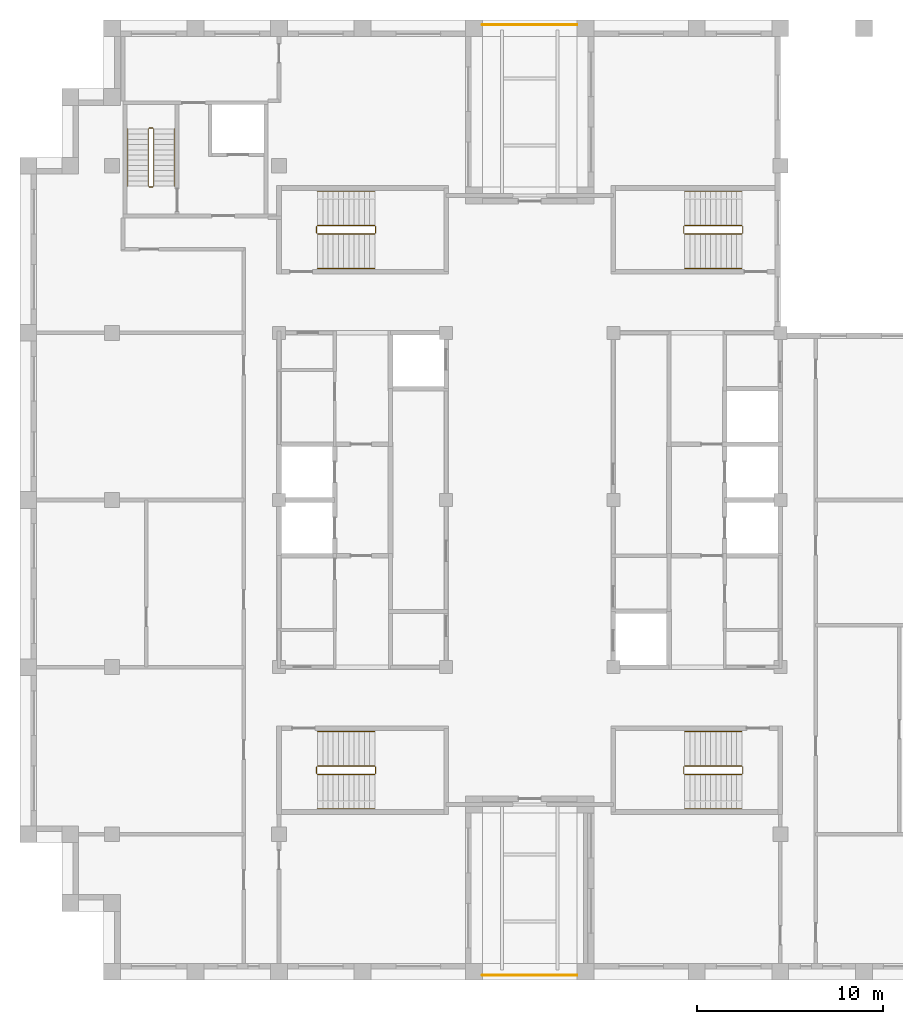
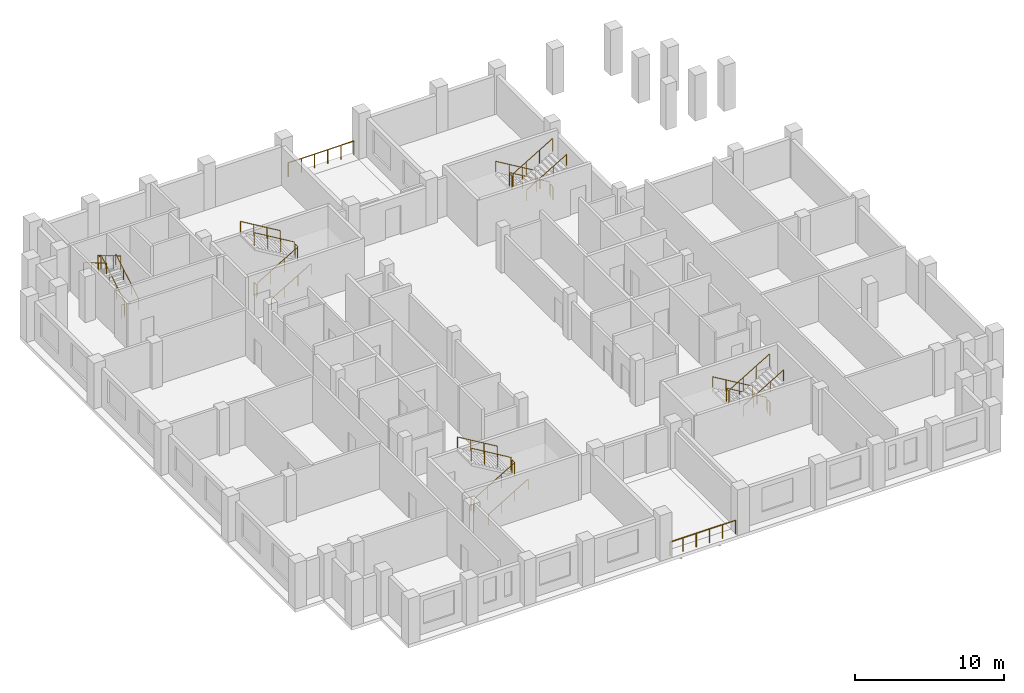
# One storey, part 8 of 8: 7 railings.
"""IFC4 building model written with IfcOpenShell, lengths in metres."""

from ifc_helpers import new_model, si_unit, direction, frame, origin, origin_2d, place, context, subcontext, project, spatial, circle, extrude, material, type_object, element, save


model = new_model("IFC4")

# Units and contexts
model_context = context("Model", 3, precision=1e-05, world=origin(), true_north=direction((0.0, 1.0)))
body_context = subcontext(model_context, "Body", "Model", "MODEL_VIEW")
ifc_project = project(units=[si_unit("LENGTHUNIT", "METRE"), si_unit("AREAUNIT", "SQUARE_METRE"), si_unit("VOLUMEUNIT", "CUBIC_METRE"), si_unit("PLANEANGLEUNIT", "RADIAN"), si_unit("MASSUNIT", "GRAM", prefix="KILO")], contexts=[model_context])

# Site, building, storey
site_placement = place(None, origin())
site = spatial("IfcSite", under=ifc_project, at=site_placement, CompositionType="ELEMENT")
building_placement = place(site_placement, origin())
building = spatial("IfcBuilding", under=site, at=building_placement, Name="Corbelhall Arena Tower", CompositionType="ELEMENT")
storey_placement = place(building_placement, frame((0.0, 0.0, 326.0)))
storey = spatial("IfcBuildingStorey", under=building, at=storey_placement, Name="L71", CompositionType="ELEMENT", Elevation=326.0)

# Railings
ifc_material = material(Name="Steel ASTM A500 Gr C", Category="steel")
railing_type_1 = type_object("IfcRailingType", Name="EV-GD1 Terrace guard 1100", PredefinedType="GUARDRAIL", material=ifc_material)
for number, where, name in (
    (1, (-2.550048828125, 25.60009765625, 0.0), "Guard"),
    (2, (-2.550048828125, -25.60009765625, 0.0), "Guard"),
):
    element("IfcRailing", number, at=place(storey_placement, frame(where)), inside=storey, type_object=railing_type_1, Name=name, PredefinedType="GUARDRAIL", context=body_context, shape_type="SweptSolid", body=[
        extrude(circle(Radius=0.02392578125, at=origin_2d()), frame((0.0, 0.0, 1.1259765625), z_axis=(1.0, 0.0, 0.0), x_axis=(0.0, 1.0, 0.0)), (0.0, 0.0, 1.0), 5.10009765625),
        extrude(circle(Radius=0.02099609375, at=origin_2d()), origin(), (0.0, 0.0, 1.0), 1.101806640625),
        extrude(circle(Radius=0.02099609375, at=origin_2d()), frame((1.02001953125, 0.0, 0.0)), (0.0, 0.0, 1.0), 1.101806640625),
        extrude(circle(Radius=0.02099609375, at=origin_2d()), frame((2.0400390625, 0.0, 0.0)), (0.0, 0.0, 1.0), 1.101806640625),
        extrude(circle(Radius=0.02099609375, at=origin_2d()), frame((3.06005859375, 0.0, 0.0)), (0.0, 0.0, 1.0), 1.101806640625),
        extrude(circle(Radius=0.02099609375, at=origin_2d()), frame((4.080078125, 0.0, 0.0)), (0.0, 0.0, 1.0), 1.101806640625),
        extrude(circle(Radius=0.02099609375, at=origin_2d()), frame((5.10009765625, 0.0, 0.0)), (0.0, 0.0, 1.0), 1.101806640625),
    ])
railing_type_2 = type_object("IfcRailingType", Name="IN-GD-1100", PredefinedType="GUARDRAIL", material=ifc_material)
railing_1_placement = place(storey_placement, frame((-11.425048828125, 14.324951171875, 0.166748046875)))
element("IfcRailing", 3, at=railing_1_placement, inside=storey, type_object=railing_type_2, Name="L71 ST1 stair guards and handrails", PredefinedType="GUARDRAIL", context=body_context, shape_type="SweptSolid", body=[
    extrude(circle(Radius=0.02392578125, at=origin_2d()), frame((0.0, 0.0, 1.076171875), z_axis=(0.859308565015, 0.0, 0.511457515432), x_axis=(0.0, 1.0, 0.0)), (0.0, 0.0, 1.0), 3.58447265625),
    extrude(circle(Radius=0.02392578125, at=origin_2d()), frame((3.130126953125, 0.050048828125, 2.9091796875), z_axis=(0.0, 1.0, 0.0), x_axis=(-1.0, 0.0, 0.0)), (0.0, 0.0, 1.0), 0.35009765625),
    extrude(circle(Radius=0.02392578125, at=origin_2d()), frame((3.080078125, 0.449951171875, 3.076171875), z_axis=(-0.859308565015, 0.0, 0.511457515432), x_axis=(0.0, -1.0, 0.0)), (0.0, 0.0, 1.0), 3.58447265625),
    extrude(circle(Radius=0.02392578125, at=origin_2d()), frame((-0.050048828125, 0.050048828125, 0.9091796875), z_axis=(0.0, 1.0, 0.0), x_axis=(-1.0, 0.0, 0.0)), (0.0, 0.0, 1.0), 0.35009765625),
    extrude(circle(Radius=0.02392578125, at=origin_2d()), frame((0.0, -1.849853515625, 0.8759765625), z_axis=(0.859308565015, 0.0, 0.511457515432), x_axis=(0.0, 1.0, 0.0)), (0.0, 0.0, 1.0), 3.58447265625),
    extrude(circle(Radius=0.02392578125, at=origin_2d()), frame((3.080078125, 2.300048828125, 2.8759765625), z_axis=(-0.859308565015, 0.0, 0.511457515432), x_axis=(0.0, -1.0, 0.0)), (0.0, 0.0, 1.0), 3.58447265625),
    extrude(circle(Radius=0.02099609375, at=origin_2d()), origin(), (0.0, 0.0, 1.0), 1.052001953125),
    extrude(circle(Radius=0.02099609375, at=origin_2d()), frame((1.026611328125, 0.0, 0.611083984375)), (0.0, 0.0, 1.0), 1.052001953125),
    extrude(circle(Radius=0.02099609375, at=origin_2d()), frame((2.053466796875, 0.0, 1.22216796875)), (0.0, 0.0, 1.0), 1.052001953125),
    extrude(circle(Radius=0.02099609375, at=origin_2d()), frame((3.080078125, 0.0, 1.833251953125)), (0.0, 0.0, 1.0), 1.052001953125),
    extrude(circle(Radius=0.02099609375, at=origin_2d()), frame((3.130126953125, 0.050048828125, 1.833251953125)), (0.0, 0.0, 1.0), 1.052001953125),
    extrude(circle(Radius=0.02099609375, at=origin_2d()), frame((3.130126953125, 0.400146484375, 1.833251953125)), (0.0, 0.0, 1.0), 1.052001953125),
    extrude(circle(Radius=0.02099609375, at=origin_2d()), frame((3.080078125, 0.449951171875, 2.0)), (0.0, 0.0, 1.0), 1.052001953125),
    extrude(circle(Radius=0.02099609375, at=origin_2d()), frame((2.053466796875, 0.449951171875, 2.611083984375)), (0.0, 0.0, 1.0), 1.052001953125),
    extrude(circle(Radius=0.02099609375, at=origin_2d()), frame((1.026611328125, 0.449951171875, 3.22216796875)), (0.0, 0.0, 1.0), 1.052001953125),
    extrude(circle(Radius=0.02099609375, at=origin_2d()), frame((0.0, 0.449951171875, 3.833251953125)), (0.0, 0.0, 1.0), 1.052001953125),
    extrude(circle(Radius=0.02099609375, at=origin_2d()), frame((-0.050048828125, 0.050048828125, -0.166748046875)), (0.0, 0.0, 1.0), 1.052001953125),
    extrude(circle(Radius=0.02099609375, at=origin_2d()), frame((-0.050048828125, 0.400146484375, -0.166748046875)), (0.0, 0.0, 1.0), 1.052001953125),
    extrude(circle(Radius=0.02099609375, at=origin_2d()), frame((0.0, -1.849853515625, 0.0)), (0.0, 0.0, 1.0), 0.851806640625),
    extrude(circle(Radius=0.02099609375, at=origin_2d()), frame((1.026611328125, -1.849853515625, 0.611083984375)), (0.0, 0.0, 1.0), 0.851806640625),
    extrude(circle(Radius=0.02099609375, at=origin_2d()), frame((2.053466796875, -1.849853515625, 1.22216796875)), (0.0, 0.0, 1.0), 0.851806640625),
    extrude(circle(Radius=0.02099609375, at=origin_2d()), frame((3.080078125, -1.849853515625, 1.833251953125)), (0.0, 0.0, 1.0), 0.851806640625),
    extrude(circle(Radius=0.02099609375, at=origin_2d()), frame((3.080078125, 2.300048828125, 2.0)), (0.0, 0.0, 1.0), 0.851806640625),
    extrude(circle(Radius=0.02099609375, at=origin_2d()), frame((2.053466796875, 2.300048828125, 2.611083984375)), (0.0, 0.0, 1.0), 0.851806640625),
    extrude(circle(Radius=0.02099609375, at=origin_2d()), frame((1.026611328125, 2.300048828125, 3.22216796875)), (0.0, 0.0, 1.0), 0.851806640625),
    extrude(circle(Radius=0.02099609375, at=origin_2d()), frame((0.0, 2.300048828125, 3.833251953125)), (0.0, 0.0, 1.0), 0.851806640625),
])
railing_2_placement = place(storey_placement, frame((-11.425048828125, -14.77490234375, 0.166748046875)))
element("IfcRailing", 4, at=railing_2_placement, inside=storey, type_object=railing_type_2, Name="L71 ST2 stair guards and handrails", PredefinedType="GUARDRAIL", context=body_context, shape_type="SweptSolid", body=[
    extrude(circle(Radius=0.02392578125, at=origin_2d()), frame((0.0, 0.0, 1.076171875), z_axis=(0.859308565015, 0.0, 0.511457515432), x_axis=(0.0, 1.0, 0.0)), (0.0, 0.0, 1.0), 3.58447265625),
    extrude(circle(Radius=0.02392578125, at=origin_2d()), frame((3.130126953125, 0.0498046875, 2.9091796875), z_axis=(0.0, 1.0, 0.0), x_axis=(-1.0, 0.0, 0.0)), (0.0, 0.0, 1.0), 0.35009765625),
    extrude(circle(Radius=0.02392578125, at=origin_2d()), frame((3.080078125, 0.449951171875, 3.076171875), z_axis=(-0.859308565015, 0.0, 0.511457515432), x_axis=(0.0, -1.0, 0.0)), (0.0, 0.0, 1.0), 3.58447265625),
    extrude(circle(Radius=0.02392578125, at=origin_2d()), frame((-0.050048828125, 0.0498046875, 0.9091796875), z_axis=(0.0, 1.0, 0.0), x_axis=(-1.0, 0.0, 0.0)), (0.0, 0.0, 1.0), 0.35009765625),
    extrude(circle(Radius=0.02392578125, at=origin_2d()), frame((0.0, -1.85009765625, 0.8759765625), z_axis=(0.859308565015, 0.0, 0.511457515432), x_axis=(0.0, 1.0, 0.0)), (0.0, 0.0, 1.0), 3.58447265625),
    extrude(circle(Radius=0.02392578125, at=origin_2d()), frame((3.080078125, 2.2998046875, 2.8759765625), z_axis=(-0.859308565015, 0.0, 0.511457515432), x_axis=(0.0, -1.0, 0.0)), (0.0, 0.0, 1.0), 3.58447265625),
    extrude(circle(Radius=0.02099609375, at=origin_2d()), origin(), (0.0, 0.0, 1.0), 1.052001953125),
    extrude(circle(Radius=0.02099609375, at=origin_2d()), frame((1.026611328125, 0.0, 0.611083984375)), (0.0, 0.0, 1.0), 1.052001953125),
    extrude(circle(Radius=0.02099609375, at=origin_2d()), frame((2.053466796875, 0.0, 1.22216796875)), (0.0, 0.0, 1.0), 1.052001953125),
    extrude(circle(Radius=0.02099609375, at=origin_2d()), frame((3.080078125, 0.0, 1.833251953125)), (0.0, 0.0, 1.0), 1.052001953125),
    extrude(circle(Radius=0.02099609375, at=origin_2d()), frame((3.130126953125, 0.0498046875, 1.833251953125)), (0.0, 0.0, 1.0), 1.052001953125),
    extrude(circle(Radius=0.02099609375, at=origin_2d()), frame((3.130126953125, 0.39990234375, 1.833251953125)), (0.0, 0.0, 1.0), 1.052001953125),
    extrude(circle(Radius=0.02099609375, at=origin_2d()), frame((3.080078125, 0.449951171875, 2.0)), (0.0, 0.0, 1.0), 1.052001953125),
    extrude(circle(Radius=0.02099609375, at=origin_2d()), frame((2.053466796875, 0.449951171875, 2.611083984375)), (0.0, 0.0, 1.0), 1.052001953125),
    extrude(circle(Radius=0.02099609375, at=origin_2d()), frame((1.026611328125, 0.449951171875, 3.22216796875)), (0.0, 0.0, 1.0), 1.052001953125),
    extrude(circle(Radius=0.02099609375, at=origin_2d()), frame((0.0, 0.449951171875, 3.833251953125)), (0.0, 0.0, 1.0), 1.052001953125),
    extrude(circle(Radius=0.02099609375, at=origin_2d()), frame((-0.050048828125, 0.0498046875, -0.166748046875)), (0.0, 0.0, 1.0), 1.052001953125),
    extrude(circle(Radius=0.02099609375, at=origin_2d()), frame((-0.050048828125, 0.39990234375, -0.166748046875)), (0.0, 0.0, 1.0), 1.052001953125),
    extrude(circle(Radius=0.02099609375, at=origin_2d()), frame((0.0, -1.85009765625, 0.0)), (0.0, 0.0, 1.0), 0.851806640625),
    extrude(circle(Radius=0.02099609375, at=origin_2d()), frame((1.026611328125, -1.85009765625, 0.611083984375)), (0.0, 0.0, 1.0), 0.851806640625),
    extrude(circle(Radius=0.02099609375, at=origin_2d()), frame((2.053466796875, -1.85009765625, 1.22216796875)), (0.0, 0.0, 1.0), 0.851806640625),
    extrude(circle(Radius=0.02099609375, at=origin_2d()), frame((3.080078125, -1.85009765625, 1.833251953125)), (0.0, 0.0, 1.0), 0.851806640625),
    extrude(circle(Radius=0.02099609375, at=origin_2d()), frame((3.080078125, 2.2998046875, 2.0)), (0.0, 0.0, 1.0), 0.851806640625),
    extrude(circle(Radius=0.02099609375, at=origin_2d()), frame((2.053466796875, 2.2998046875, 2.611083984375)), (0.0, 0.0, 1.0), 0.851806640625),
    extrude(circle(Radius=0.02099609375, at=origin_2d()), frame((1.026611328125, 2.2998046875, 3.22216796875)), (0.0, 0.0, 1.0), 0.851806640625),
    extrude(circle(Radius=0.02099609375, at=origin_2d()), frame((0.0, 2.2998046875, 3.833251953125)), (0.0, 0.0, 1.0), 0.851806640625),
])
railing_3_placement = place(storey_placement, frame((11.425048828125, 14.77490234375, 0.166748046875)))
element("IfcRailing", 5, at=railing_3_placement, inside=storey, type_object=railing_type_2, Name="L71 ST3 stair guards and handrails", PredefinedType="GUARDRAIL", context=body_context, shape_type="SweptSolid", body=[
    extrude(circle(Radius=0.02392578125, at=origin_2d()), frame((0.0, 0.0, 1.076171875), z_axis=(-0.859308565015, 0.0, 0.511457515432), x_axis=(0.0, -1.0, 0.0)), (0.0, 0.0, 1.0), 3.58447265625),
    extrude(circle(Radius=0.02392578125, at=origin_2d()), frame((-3.130126953125, -0.0498046875, 2.9091796875), z_axis=(0.0, -1.0, 0.0), x_axis=(1.0, 0.0, 0.0)), (0.0, 0.0, 1.0), 0.35009765625),
    extrude(circle(Radius=0.02392578125, at=origin_2d()), frame((-3.080078125, -0.449951171875, 3.076171875), z_axis=(0.859308565015, 0.0, 0.511457515432), x_axis=(0.0, 1.0, 0.0)), (0.0, 0.0, 1.0), 3.58447265625),
    extrude(circle(Radius=0.02392578125, at=origin_2d()), frame((0.050048828125, -0.0498046875, 0.9091796875), z_axis=(0.0, -1.0, 0.0), x_axis=(1.0, 0.0, 0.0)), (0.0, 0.0, 1.0), 0.35009765625),
    extrude(circle(Radius=0.02392578125, at=origin_2d()), frame((0.0, 1.85009765625, 0.8759765625), z_axis=(-0.859308565015, 0.0, 0.511457515432), x_axis=(0.0, -1.0, 0.0)), (0.0, 0.0, 1.0), 3.58447265625),
    extrude(circle(Radius=0.02392578125, at=origin_2d()), frame((-3.080078125, -2.2998046875, 2.8759765625), z_axis=(0.859308565015, 0.0, 0.511457515432), x_axis=(0.0, 1.0, 0.0)), (0.0, 0.0, 1.0), 3.58447265625),
    extrude(circle(Radius=0.02099609375, at=origin_2d()), origin(), (0.0, 0.0, 1.0), 1.052001953125),
    extrude(circle(Radius=0.02099609375, at=origin_2d()), frame((-1.026611328125, 0.0, 0.611083984375)), (0.0, 0.0, 1.0), 1.052001953125),
    extrude(circle(Radius=0.02099609375, at=origin_2d()), frame((-2.053466796875, 0.0, 1.22216796875)), (0.0, 0.0, 1.0), 1.052001953125),
    extrude(circle(Radius=0.02099609375, at=origin_2d()), frame((-3.080078125, 0.0, 1.833251953125)), (0.0, 0.0, 1.0), 1.052001953125),
    extrude(circle(Radius=0.02099609375, at=origin_2d()), frame((-3.130126953125, -0.0498046875, 1.833251953125)), (0.0, 0.0, 1.0), 1.052001953125),
    extrude(circle(Radius=0.02099609375, at=origin_2d()), frame((-3.130126953125, -0.39990234375, 1.833251953125)), (0.0, 0.0, 1.0), 1.052001953125),
    extrude(circle(Radius=0.02099609375, at=origin_2d()), frame((-3.080078125, -0.449951171875, 2.0)), (0.0, 0.0, 1.0), 1.052001953125),
    extrude(circle(Radius=0.02099609375, at=origin_2d()), frame((-2.053466796875, -0.449951171875, 2.611083984375)), (0.0, 0.0, 1.0), 1.052001953125),
    extrude(circle(Radius=0.02099609375, at=origin_2d()), frame((-1.026611328125, -0.449951171875, 3.22216796875)), (0.0, 0.0, 1.0), 1.052001953125),
    extrude(circle(Radius=0.02099609375, at=origin_2d()), frame((0.0, -0.449951171875, 3.833251953125)), (0.0, 0.0, 1.0), 1.052001953125),
    extrude(circle(Radius=0.02099609375, at=origin_2d()), frame((0.050048828125, -0.0498046875, -0.166748046875)), (0.0, 0.0, 1.0), 1.052001953125),
    extrude(circle(Radius=0.02099609375, at=origin_2d()), frame((0.050048828125, -0.39990234375, -0.166748046875)), (0.0, 0.0, 1.0), 1.052001953125),
    extrude(circle(Radius=0.02099609375, at=origin_2d()), frame((0.0, 1.85009765625, 0.0)), (0.0, 0.0, 1.0), 0.851806640625),
    extrude(circle(Radius=0.02099609375, at=origin_2d()), frame((-1.026611328125, 1.85009765625, 0.611083984375)), (0.0, 0.0, 1.0), 0.851806640625),
    extrude(circle(Radius=0.02099609375, at=origin_2d()), frame((-2.053466796875, 1.85009765625, 1.22216796875)), (0.0, 0.0, 1.0), 0.851806640625),
    extrude(circle(Radius=0.02099609375, at=origin_2d()), frame((-3.080078125, 1.85009765625, 1.833251953125)), (0.0, 0.0, 1.0), 0.851806640625),
    extrude(circle(Radius=0.02099609375, at=origin_2d()), frame((-3.080078125, -2.2998046875, 2.0)), (0.0, 0.0, 1.0), 0.851806640625),
    extrude(circle(Radius=0.02099609375, at=origin_2d()), frame((-2.053466796875, -2.2998046875, 2.611083984375)), (0.0, 0.0, 1.0), 0.851806640625),
    extrude(circle(Radius=0.02099609375, at=origin_2d()), frame((-1.026611328125, -2.2998046875, 3.22216796875)), (0.0, 0.0, 1.0), 0.851806640625),
    extrude(circle(Radius=0.02099609375, at=origin_2d()), frame((0.0, -2.2998046875, 3.833251953125)), (0.0, 0.0, 1.0), 0.851806640625),
])
railing_4_placement = place(storey_placement, frame((11.425048828125, -14.324951171875, 0.166748046875)))
element("IfcRailing", 6, at=railing_4_placement, inside=storey, type_object=railing_type_2, Name="L71 ST4 stair guards and handrails", PredefinedType="GUARDRAIL", context=body_context, shape_type="SweptSolid", body=[
    extrude(circle(Radius=0.02392578125, at=origin_2d()), frame((0.0, 0.0, 1.076171875), z_axis=(-0.859308565015, 0.0, 0.511457515432), x_axis=(0.0, -1.0, 0.0)), (0.0, 0.0, 1.0), 3.58447265625),
    extrude(circle(Radius=0.02392578125, at=origin_2d()), frame((-3.130126953125, -0.050048828125, 2.9091796875), z_axis=(0.0, -1.0, 0.0), x_axis=(1.0, 0.0, 0.0)), (0.0, 0.0, 1.0), 0.35009765625),
    extrude(circle(Radius=0.02392578125, at=origin_2d()), frame((-3.080078125, -0.449951171875, 3.076171875), z_axis=(0.859308565015, 0.0, 0.511457515432), x_axis=(0.0, 1.0, 0.0)), (0.0, 0.0, 1.0), 3.58447265625),
    extrude(circle(Radius=0.02392578125, at=origin_2d()), frame((0.050048828125, -0.050048828125, 0.9091796875), z_axis=(0.0, -1.0, 0.0), x_axis=(1.0, 0.0, 0.0)), (0.0, 0.0, 1.0), 0.35009765625),
    extrude(circle(Radius=0.02392578125, at=origin_2d()), frame((0.0, 1.849853515625, 0.8759765625), z_axis=(-0.859308565015, 0.0, 0.511457515432), x_axis=(0.0, -1.0, 0.0)), (0.0, 0.0, 1.0), 3.58447265625),
    extrude(circle(Radius=0.02392578125, at=origin_2d()), frame((-3.080078125, -2.300048828125, 2.8759765625), z_axis=(0.859308565015, 0.0, 0.511457515432), x_axis=(0.0, 1.0, 0.0)), (0.0, 0.0, 1.0), 3.58447265625),
    extrude(circle(Radius=0.02099609375, at=origin_2d()), origin(), (0.0, 0.0, 1.0), 1.052001953125),
    extrude(circle(Radius=0.02099609375, at=origin_2d()), frame((-1.026611328125, 0.0, 0.611083984375)), (0.0, 0.0, 1.0), 1.052001953125),
    extrude(circle(Radius=0.02099609375, at=origin_2d()), frame((-2.053466796875, 0.0, 1.22216796875)), (0.0, 0.0, 1.0), 1.052001953125),
    extrude(circle(Radius=0.02099609375, at=origin_2d()), frame((-3.080078125, 0.0, 1.833251953125)), (0.0, 0.0, 1.0), 1.052001953125),
    extrude(circle(Radius=0.02099609375, at=origin_2d()), frame((-3.130126953125, -0.050048828125, 1.833251953125)), (0.0, 0.0, 1.0), 1.052001953125),
    extrude(circle(Radius=0.02099609375, at=origin_2d()), frame((-3.130126953125, -0.400146484375, 1.833251953125)), (0.0, 0.0, 1.0), 1.052001953125),
    extrude(circle(Radius=0.02099609375, at=origin_2d()), frame((-3.080078125, -0.449951171875, 2.0)), (0.0, 0.0, 1.0), 1.052001953125),
    extrude(circle(Radius=0.02099609375, at=origin_2d()), frame((-2.053466796875, -0.449951171875, 2.611083984375)), (0.0, 0.0, 1.0), 1.052001953125),
    extrude(circle(Radius=0.02099609375, at=origin_2d()), frame((-1.026611328125, -0.449951171875, 3.22216796875)), (0.0, 0.0, 1.0), 1.052001953125),
    extrude(circle(Radius=0.02099609375, at=origin_2d()), frame((0.0, -0.449951171875, 3.833251953125)), (0.0, 0.0, 1.0), 1.052001953125),
    extrude(circle(Radius=0.02099609375, at=origin_2d()), frame((0.050048828125, -0.050048828125, -0.166748046875)), (0.0, 0.0, 1.0), 1.052001953125),
    extrude(circle(Radius=0.02099609375, at=origin_2d()), frame((0.050048828125, -0.400146484375, -0.166748046875)), (0.0, 0.0, 1.0), 1.052001953125),
    extrude(circle(Radius=0.02099609375, at=origin_2d()), frame((0.0, 1.849853515625, 0.0)), (0.0, 0.0, 1.0), 0.851806640625),
    extrude(circle(Radius=0.02099609375, at=origin_2d()), frame((-1.026611328125, 1.849853515625, 0.611083984375)), (0.0, 0.0, 1.0), 0.851806640625),
    extrude(circle(Radius=0.02099609375, at=origin_2d()), frame((-2.053466796875, 1.849853515625, 1.22216796875)), (0.0, 0.0, 1.0), 0.851806640625),
    extrude(circle(Radius=0.02099609375, at=origin_2d()), frame((-3.080078125, 1.849853515625, 1.833251953125)), (0.0, 0.0, 1.0), 0.851806640625),
    extrude(circle(Radius=0.02099609375, at=origin_2d()), frame((-3.080078125, -2.300048828125, 2.0)), (0.0, 0.0, 1.0), 0.851806640625),
    extrude(circle(Radius=0.02099609375, at=origin_2d()), frame((-2.053466796875, -2.300048828125, 2.611083984375)), (0.0, 0.0, 1.0), 0.851806640625),
    extrude(circle(Radius=0.02099609375, at=origin_2d()), frame((-1.026611328125, -2.300048828125, 3.22216796875)), (0.0, 0.0, 1.0), 0.851806640625),
    extrude(circle(Radius=0.02099609375, at=origin_2d()), frame((0.0, -2.300048828125, 3.833251953125)), (0.0, 0.0, 1.0), 0.851806640625),
])
railing_5_placement = place(storey_placement, frame((-20.2451171875, 16.89990234375, 0.166748046875)))
element("IfcRailing", 7, at=railing_5_placement, inside=storey, type_object=railing_type_2, Name="L71 ST5 stair guards and handrails", PredefinedType="GUARDRAIL", context=body_context, shape_type="SweptSolid", body=[
    extrude(circle(Radius=0.02392578125, at=origin_2d()), frame((0.0, 0.0, 1.076171875), z_axis=(0.0, 0.859308565015, 0.511457515432), x_axis=(-1.0, 0.0, 0.0)), (0.0, 0.0, 1.0), 3.58447265625),
    extrude(circle(Radius=0.02392578125, at=origin_2d()), frame((-0.0498046875, 3.130126953125, 2.9091796875), z_axis=(-1.0, 0.0, 0.0), x_axis=(0.0, -1.0, 0.0)), (0.0, 0.0, 1.0), 0.2001953125),
    extrude(circle(Radius=0.02392578125, at=origin_2d()), frame((-0.2998046875, 3.080078125, 3.076171875), z_axis=(0.0, -0.859308565015, 0.511457515432), x_axis=(1.0, 0.0, 0.0)), (0.0, 0.0, 1.0), 3.58447265625),
    extrude(circle(Radius=0.02392578125, at=origin_2d()), frame((-0.0498046875, -0.0498046875, 0.9091796875), z_axis=(-1.0, 0.0, 0.0), x_axis=(0.0, -1.0, 0.0)), (0.0, 0.0, 1.0), 0.2001953125),
    extrude(circle(Radius=0.02392578125, at=origin_2d()), frame((1.10009765625, 0.0, 0.8759765625), z_axis=(0.0, 0.859308565015, 0.511457515432), x_axis=(-1.0, 0.0, 0.0)), (0.0, 0.0, 1.0), 3.58447265625),
    extrude(circle(Radius=0.02392578125, at=origin_2d()), frame((-1.39990234375, 3.080078125, 2.8759765625), z_axis=(0.0, -0.859308565015, 0.511457515432), x_axis=(1.0, 0.0, 0.0)), (0.0, 0.0, 1.0), 3.58447265625),
    extrude(circle(Radius=0.02099609375, at=origin_2d()), origin(), (0.0, 0.0, 1.0), 1.052001953125),
    extrude(circle(Radius=0.02099609375, at=origin_2d()), frame((0.0, 1.026611328125, 0.611083984375)), (0.0, 0.0, 1.0), 1.052001953125),
    extrude(circle(Radius=0.02099609375, at=origin_2d()), frame((0.0, 2.053466796875, 1.22216796875)), (0.0, 0.0, 1.0), 1.052001953125),
    extrude(circle(Radius=0.02099609375, at=origin_2d()), frame((0.0, 3.080078125, 1.833251953125)), (0.0, 0.0, 1.0), 1.052001953125),
    extrude(circle(Radius=0.02099609375, at=origin_2d()), frame((-0.0498046875, 3.130126953125, 1.833251953125)), (0.0, 0.0, 1.0), 1.052001953125),
    extrude(circle(Radius=0.02099609375, at=origin_2d()), frame((-0.25, 3.130126953125, 1.833251953125)), (0.0, 0.0, 1.0), 1.052001953125),
    extrude(circle(Radius=0.02099609375, at=origin_2d()), frame((-0.2998046875, 3.080078125, 2.0)), (0.0, 0.0, 1.0), 1.052001953125),
    extrude(circle(Radius=0.02099609375, at=origin_2d()), frame((-0.2998046875, 2.053466796875, 2.611083984375)), (0.0, 0.0, 1.0), 1.052001953125),
    extrude(circle(Radius=0.02099609375, at=origin_2d()), frame((-0.2998046875, 1.026611328125, 3.22216796875)), (0.0, 0.0, 1.0), 1.052001953125),
    extrude(circle(Radius=0.02099609375, at=origin_2d()), frame((-0.2998046875, 0.0, 3.833251953125)), (0.0, 0.0, 1.0), 1.052001953125),
    extrude(circle(Radius=0.02099609375, at=origin_2d()), frame((-0.0498046875, -0.0498046875, -0.166748046875)), (0.0, 0.0, 1.0), 1.052001953125),
    extrude(circle(Radius=0.02099609375, at=origin_2d()), frame((-0.25, -0.0498046875, -0.166748046875)), (0.0, 0.0, 1.0), 1.052001953125),
    extrude(circle(Radius=0.02099609375, at=origin_2d()), frame((1.10009765625, 0.0, 0.0)), (0.0, 0.0, 1.0), 0.851806640625),
    extrude(circle(Radius=0.02099609375, at=origin_2d()), frame((1.10009765625, 1.026611328125, 0.611083984375)), (0.0, 0.0, 1.0), 0.851806640625),
    extrude(circle(Radius=0.02099609375, at=origin_2d()), frame((1.10009765625, 2.053466796875, 1.22216796875)), (0.0, 0.0, 1.0), 0.851806640625),
    extrude(circle(Radius=0.02099609375, at=origin_2d()), frame((1.10009765625, 3.080078125, 1.833251953125)), (0.0, 0.0, 1.0), 0.851806640625),
    extrude(circle(Radius=0.02099609375, at=origin_2d()), frame((-1.39990234375, 3.080078125, 2.0)), (0.0, 0.0, 1.0), 0.851806640625),
    extrude(circle(Radius=0.02099609375, at=origin_2d()), frame((-1.39990234375, 2.053466796875, 2.611083984375)), (0.0, 0.0, 1.0), 0.851806640625),
    extrude(circle(Radius=0.02099609375, at=origin_2d()), frame((-1.39990234375, 1.026611328125, 3.22216796875)), (0.0, 0.0, 1.0), 0.851806640625),
    extrude(circle(Radius=0.02099609375, at=origin_2d()), frame((-1.39990234375, 0.0, 3.833251953125)), (0.0, 0.0, 1.0), 0.851806640625),
])

save(model, "model.ifc")
